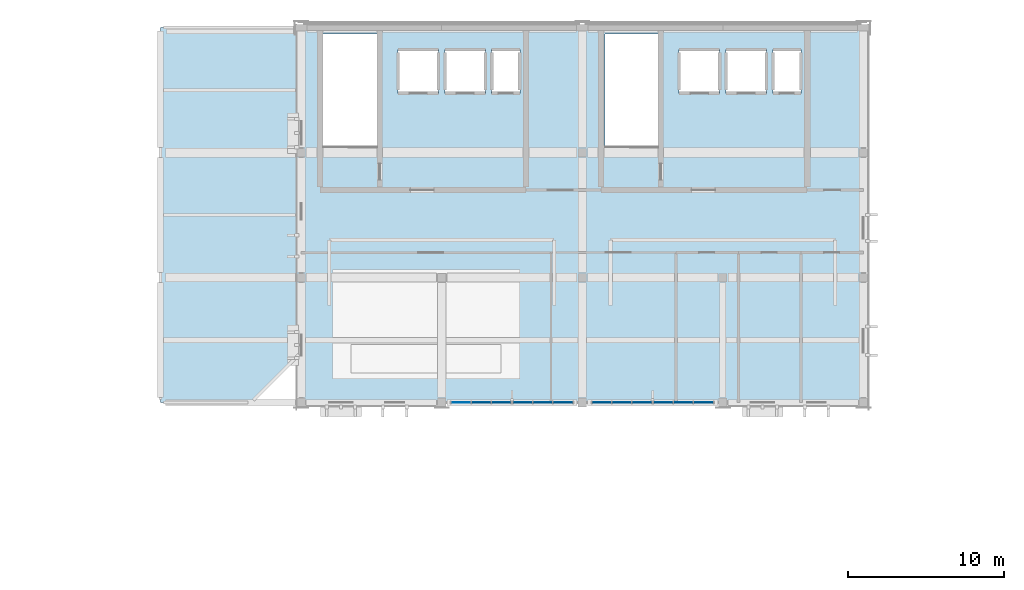
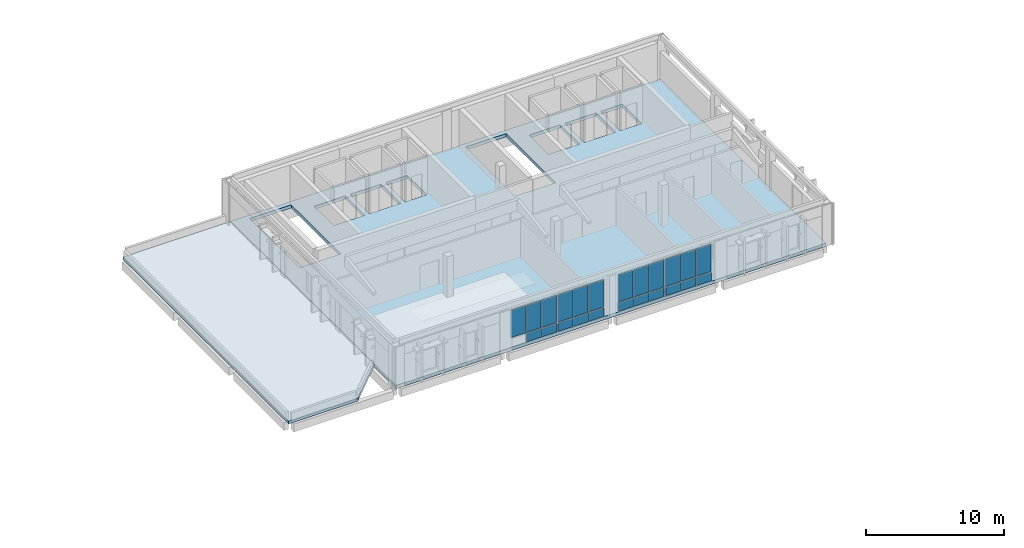
# One storey, part 4 of 12: 23 plates, 2 slabs, 4 elements without a shape of their own.
"""IFC4 building model written with IfcOpenShell, lengths in metres."""

from ifc_helpers import new_model, si_unit, direction, frame, origin, origin_2d, place, context, subcontext, project, spatial, polyline, rectangle, outline, extrude, material, layer, layer_set, type_object, element, aggregate, save


model = new_model("IFC4")

# Units and contexts
model_context = context("Model", 3, precision=1e-05, world=origin(), true_north=direction((0.0, 1.0)))
body_context = subcontext(model_context, "Body", "Model", "MODEL_VIEW")
ifc_project = project(units=[si_unit("LENGTHUNIT", "METRE"), si_unit("AREAUNIT", "SQUARE_METRE"), si_unit("VOLUMEUNIT", "CUBIC_METRE"), si_unit("PLANEANGLEUNIT", "RADIAN"), si_unit("MASSUNIT", "GRAM", prefix="KILO")], contexts=[model_context])

# Site, building, storey
site_placement = place(None, origin())
site = spatial("IfcSite", under=ifc_project, at=site_placement, CompositionType="ELEMENT")
building_placement = place(site_placement, origin())
building = spatial("IfcBuilding", under=site, at=building_placement, Name="Vervanel Yard Central Library", CompositionType="ELEMENT")
storey_placement = place(building_placement, frame((0.0, 0.0, 20.260009765625)))
storey = spatial("IfcBuildingStorey", under=building, at=storey_placement, Name="L05", CompositionType="ELEMENT", Elevation=20.260009765625)

# Slab
ifc_material_1 = material(Name="Concrete C40/50", Category="concrete")
ifc_layer_1 = layer(ifc_material_1, 0.284912109375, Category="concrete")
ifc_layer_set_1 = layer_set([ifc_layer_1], Name="Concrete C40/50")
slab_type_1 = type_object("IfcSlabType", Name="Clerestory Salon & Plant Slab 285", PredefinedType="FLOOR", material=ifc_layer_set_1)
slab_1_placement = place(storey_placement, frame((0.0, 0.0, -0.284912109375)))
element("IfcSlab", 1, at=slab_1_placement, inside=storey, type_object=slab_type_1, Name="L05 V1 Clerestory Salon & Plant Slab 285", PredefinedType="FLOOR", context=body_context, shape_type="SweptSolid", body=[
    extrude(outline(polyline([(45.0, 90.0), (81.0, 90.0), (81.0, 114.0), (45.0, 114.0), (45.0, 90.0)]), holes=[polyline([(46.389892578125, 106.43505859375), (49.85009765625, 106.43505859375), (49.85009765625, 113.60009765625), (46.389892578125, 113.60009765625), (46.389892578125, 106.43505859375)]), polyline([(51.199951171875, 109.800048828125), (53.800048828125, 109.800048828125), (53.800048828125, 112.60009765625), (51.199951171875, 112.60009765625), (51.199951171875, 109.800048828125)]), polyline([(54.199951171875, 109.800048828125), (56.800048828125, 109.800048828125), (56.800048828125, 112.60009765625), (54.199951171875, 112.60009765625), (54.199951171875, 109.800048828125)]), polyline([(57.199951171875, 109.800048828125), (59.0, 109.800048828125), (59.0, 112.60009765625), (57.199951171875, 112.60009765625), (57.199951171875, 109.800048828125)]), polyline([(64.449951171875, 106.43505859375), (67.85009765625, 106.43505859375), (67.85009765625, 113.60009765625), (64.449951171875, 113.60009765625), (64.449951171875, 106.43505859375)]), polyline([(69.199951171875, 109.800048828125), (71.800048828125, 109.800048828125), (71.800048828125, 112.60009765625), (69.199951171875, 112.60009765625), (69.199951171875, 109.800048828125)]), polyline([(72.199951171875, 109.800048828125), (74.800048828125, 109.800048828125), (74.800048828125, 112.60009765625), (72.199951171875, 112.60009765625), (72.199951171875, 109.800048828125)]), polyline([(75.199951171875, 109.800048828125), (77.0, 109.800048828125), (77.0, 112.60009765625), (75.199951171875, 112.60009765625), (75.199951171875, 109.800048828125)])]), origin(), (0.0, 0.0, 1.0), 0.284912109375),
])

# Curtain wall, plates
ifc_material_2 = material(Name="Thermally broken anodized aluminium 6063-T6", Category="aluminium")
curtain_wall_type = type_object("IfcCurtainWallType", Name="Atrium Courtyard Curtain Wall", PredefinedType="NOTDEFINED", material=ifc_material_2)
curtain_wall_1_placement = place(storey_placement, origin())
curtain_wall_1 = element("IfcCurtainWall", 2, at=curtain_wall_1_placement, inside=storey, type_object=curtain_wall_type, Name="L05 Atrium Courtyard Curtain Wall CWR-L05-013", PredefinedType="NOTDEFINED")
ifc_material_3 = material(Name="Double low-E laminated solar-control glass", Category="glass")
ifc_layer_2 = layer(ifc_material_3, 0.030029296875, Category="glass")
ifc_layer_set_2 = layer_set([ifc_layer_2], Name="Double low-E laminated solar-control glass")
plate_type_1 = type_object("IfcPlateType", Name="Courtyard Clear Low-E Panel 30", PredefinedType="CURTAIN_PANEL", material=ifc_layer_set_2)
plate_1_placement = place(storey_placement, frame((55.23828125, 90.0, 0.88232421875), z_axis=(0.0, 0.0, 1.0), x_axis=(1.0, 0.0, 0.0)))
plate_1 = element("IfcPlate", 3, at=plate_1_placement, type_object=plate_type_1, Name="CWR-L05-013 Panel B1-2", PredefinedType="CURTAIN_PANEL", context=body_context, shape_type="SweptSolid", body=[
    extrude(rectangle(XDim=1.2265625, YDim=0.030029296875, at=origin_2d()), origin(), (0.0, 0.0, 1.0), 2.422607421875),
])
plate_2_placement = place(storey_placement, frame((56.530029296875, 90.0, 0.88232421875), z_axis=(0.0, 0.0, 1.0), x_axis=(1.0, 0.0, 0.0)))
plate_2 = element("IfcPlate", 4, at=plate_2_placement, type_object=plate_type_1, Name="CWR-L05-013 Panel B2-2", PredefinedType="CURTAIN_PANEL", context=body_context, shape_type="SweptSolid", body=[
    extrude(rectangle(XDim=1.2265625, YDim=0.030029296875, at=origin_2d()), origin(), (0.0, 0.0, 1.0), 2.422607421875),
])
plate_3_placement = place(storey_placement, frame((57.82177734375, 90.0, 0.88232421875), z_axis=(0.0, 0.0, 1.0), x_axis=(1.0, 0.0, 0.0)))
plate_3 = element("IfcPlate", 5, at=plate_3_placement, type_object=plate_type_1, Name="CWR-L05-013 Panel B3-2", PredefinedType="CURTAIN_PANEL", context=body_context, shape_type="SweptSolid", body=[
    extrude(rectangle(XDim=1.2265625, YDim=0.030029296875, at=origin_2d()), origin(), (0.0, 0.0, 1.0), 2.422607421875),
])

curtain_wall_2_placement = place(storey_placement, origin())
curtain_wall_2 = element("IfcCurtainWall", 6, at=curtain_wall_2_placement, inside=storey, type_object=curtain_wall_type, Name="L05 Atrium Courtyard Curtain Wall CWR-L05-014", PredefinedType="NOTDEFINED")
plate_4_placement = place(storey_placement, frame((59.17822265625, 90.0, 0.88232421875), z_axis=(0.0, 0.0, 1.0), x_axis=(1.0, 0.0, 0.0)))
plate_4 = element("IfcPlate", 7, at=plate_4_placement, type_object=plate_type_1, Name="CWR-L05-014 Panel B1-2", PredefinedType="CURTAIN_PANEL", context=body_context, shape_type="SweptSolid", body=[
    extrude(rectangle(XDim=1.2265625, YDim=0.030029296875, at=origin_2d()), origin(), (0.0, 0.0, 1.0), 2.422607421875),
])
plate_5_placement = place(storey_placement, frame((60.469970703125, 90.0, 0.88232421875), z_axis=(0.0, 0.0, 1.0), x_axis=(1.0, 0.0, 0.0)))
plate_5 = element("IfcPlate", 8, at=plate_5_placement, type_object=plate_type_1, Name="CWR-L05-014 Panel B2-2", PredefinedType="CURTAIN_PANEL", context=body_context, shape_type="SweptSolid", body=[
    extrude(rectangle(XDim=1.2265625, YDim=0.030029296875, at=origin_2d()), origin(), (0.0, 0.0, 1.0), 2.422607421875),
])
plate_6_placement = place(storey_placement, frame((61.76171875, 90.0, 0.88232421875), z_axis=(0.0, 0.0, 1.0), x_axis=(1.0, 0.0, 0.0)))
plate_6 = element("IfcPlate", 9, at=plate_6_placement, type_object=plate_type_1, Name="CWR-L05-014 Panel B3-2", PredefinedType="CURTAIN_PANEL", context=body_context, shape_type="SweptSolid", body=[
    extrude(rectangle(XDim=1.2265625, YDim=0.030029296875, at=origin_2d()), origin(), (0.0, 0.0, 1.0), 2.422607421875),
])

curtain_wall_3_placement = place(storey_placement, origin())
curtain_wall_3 = element("IfcCurtainWall", 10, at=curtain_wall_3_placement, inside=storey, type_object=curtain_wall_type, Name="L05 Atrium Courtyard Curtain Wall CWR-L05-015", PredefinedType="NOTDEFINED")
plate_7_placement = place(storey_placement, frame((64.23828125, 90.0, 0.88232421875), z_axis=(0.0, 0.0, 1.0), x_axis=(1.0, 0.0, 0.0)))
plate_7 = element("IfcPlate", 11, at=plate_7_placement, type_object=plate_type_1, Name="CWR-L05-015 Panel B1-2", PredefinedType="CURTAIN_PANEL", context=body_context, shape_type="SweptSolid", body=[
    extrude(rectangle(XDim=1.2265625, YDim=0.030029296875, at=origin_2d()), origin(), (0.0, 0.0, 1.0), 2.422607421875),
])
plate_8_placement = place(storey_placement, frame((65.530029296875, 90.0, 0.88232421875), z_axis=(0.0, 0.0, 1.0), x_axis=(1.0, 0.0, 0.0)))
plate_8 = element("IfcPlate", 12, at=plate_8_placement, type_object=plate_type_1, Name="CWR-L05-015 Panel B2-2", PredefinedType="CURTAIN_PANEL", context=body_context, shape_type="SweptSolid", body=[
    extrude(rectangle(XDim=1.2265625, YDim=0.030029296875, at=origin_2d()), origin(), (0.0, 0.0, 1.0), 2.422607421875),
])
plate_9_placement = place(storey_placement, frame((66.82177734375, 90.0, 0.88232421875), z_axis=(0.0, 0.0, 1.0), x_axis=(1.0, 0.0, 0.0)))
plate_9 = element("IfcPlate", 13, at=plate_9_placement, type_object=plate_type_1, Name="CWR-L05-015 Panel B3-2", PredefinedType="CURTAIN_PANEL", context=body_context, shape_type="SweptSolid", body=[
    extrude(rectangle(XDim=1.2265625, YDim=0.030029296875, at=origin_2d()), origin(), (0.0, 0.0, 1.0), 2.422607421875),
])

curtain_wall_4_placement = place(storey_placement, origin())
curtain_wall_4 = element("IfcCurtainWall", 14, at=curtain_wall_4_placement, inside=storey, type_object=curtain_wall_type, Name="L05 Atrium Courtyard Curtain Wall CWR-L05-016", PredefinedType="NOTDEFINED")
plate_10_placement = place(storey_placement, frame((68.17822265625, 90.0, 0.88232421875), z_axis=(0.0, 0.0, 1.0), x_axis=(1.0, 0.0, 0.0)))
plate_10 = element("IfcPlate", 15, at=plate_10_placement, type_object=plate_type_1, Name="CWR-L05-016 Panel B1-2", PredefinedType="CURTAIN_PANEL", context=body_context, shape_type="SweptSolid", body=[
    extrude(rectangle(XDim=1.2265625, YDim=0.030029296875, at=origin_2d()), origin(), (0.0, 0.0, 1.0), 2.422607421875),
])
plate_11_placement = place(storey_placement, frame((69.469970703125, 90.0, 0.88232421875), z_axis=(0.0, 0.0, 1.0), x_axis=(1.0, 0.0, 0.0)))
plate_11 = element("IfcPlate", 16, at=plate_11_placement, type_object=plate_type_1, Name="CWR-L05-016 Panel B2-2", PredefinedType="CURTAIN_PANEL", context=body_context, shape_type="SweptSolid", body=[
    extrude(rectangle(XDim=1.2265625, YDim=0.030029296875, at=origin_2d()), origin(), (0.0, 0.0, 1.0), 2.422607421875),
])
plate_12_placement = place(storey_placement, frame((70.76171875, 90.0, 0.88232421875), z_axis=(0.0, 0.0, 1.0), x_axis=(1.0, 0.0, 0.0)))
plate_12 = element("IfcPlate", 17, at=plate_12_placement, type_object=plate_type_1, Name="CWR-L05-016 Panel B3-2", PredefinedType="CURTAIN_PANEL", context=body_context, shape_type="SweptSolid", body=[
    extrude(rectangle(XDim=1.2265625, YDim=0.030029296875, at=origin_2d()), origin(), (0.0, 0.0, 1.0), 2.422607421875),
])

# Slab
ifc_layer_3 = layer(ifc_material_1, 0.25, Category="concrete")
ifc_layer_set_3 = layer_set([ifc_layer_3], Name="Concrete C40/50")
slab_type_2 = type_object("IfcSlabType", Name="Flat Concrete Roof Slab 250", PredefinedType="ROOF", material=ifc_layer_set_3)
slab_2_placement = place(storey_placement, frame((0.0, 0.0, -0.25)))
element("IfcSlab", 18, at=slab_2_placement, inside=storey, type_object=slab_type_2, Name="L05 V1 Flat Concrete Roof Slab 250", PredefinedType="ROOF", context=body_context, shape_type="SweptSolid", body=[
    extrude(outline(polyline([(36.0, 90.0), (41.800048828125, 90.0), (45.0, 93.199951171875), (45.0, 114.0), (36.0, 114.0), (36.0, 90.0)])), origin(), (0.0, 0.0, 1.0), 0.25),
])

# Plate
ifc_material_4 = material(Name="Insulated bronze aluminium spandrel panel", Category="aluminium")
ifc_layer_4 = layer(ifc_material_4, 0.080078125, Category="aluminium")
ifc_layer_set_4 = layer_set([ifc_layer_4], Name="Insulated bronze aluminium spandrel panel")
plate_type_2 = type_object("IfcPlateType", Name="Insulated Bronze Spandrel Panel 80", PredefinedType="CURTAIN_PANEL", material=ifc_layer_set_4)
plate_13_placement = place(storey_placement, frame((56.530029296875, 90.0, 0.06494140625), z_axis=(0.0, 0.0, 1.0), x_axis=(1.0, 0.0, 0.0)))
plate_13 = element("IfcPlate", 19, at=plate_13_placement, type_object=plate_type_2, Name="CWR-L05-013 Panel B2-1", PredefinedType="CURTAIN_PANEL", context=body_context, shape_type="SweptSolid", body=[
    extrude(rectangle(XDim=1.2265625, YDim=0.080078125, at=origin_2d()), origin(), (0.0, 0.0, 1.0), 0.75244140625),
])

plate_14_placement = place(storey_placement, frame((57.82177734375, 90.0, 0.06494140625), z_axis=(0.0, 0.0, 1.0), x_axis=(1.0, 0.0, 0.0)))
plate_14 = element("IfcPlate", 20, at=plate_14_placement, type_object=plate_type_2, Name="CWR-L05-013 Panel B3-1", PredefinedType="CURTAIN_PANEL", context=body_context, shape_type="SweptSolid", body=[
    extrude(rectangle(XDim=1.2265625, YDim=0.080078125, at=origin_2d()), origin(), (0.0, 0.0, 1.0), 0.75244140625),
])

aggregate(curtain_wall_1, [plate_1, plate_13, plate_2, plate_14, plate_3])

plate_15_placement = place(storey_placement, frame((59.17822265625, 90.0, 0.06494140625), z_axis=(0.0, 0.0, 1.0), x_axis=(1.0, 0.0, 0.0)))
plate_15 = element("IfcPlate", 21, at=plate_15_placement, type_object=plate_type_2, Name="CWR-L05-014 Panel B1-1", PredefinedType="CURTAIN_PANEL", context=body_context, shape_type="SweptSolid", body=[
    extrude(rectangle(XDim=1.2265625, YDim=0.080078125, at=origin_2d()), origin(), (0.0, 0.0, 1.0), 0.75244140625),
])

plate_16_placement = place(storey_placement, frame((60.469970703125, 90.0, 0.06494140625), z_axis=(0.0, 0.0, 1.0), x_axis=(1.0, 0.0, 0.0)))
plate_16 = element("IfcPlate", 22, at=plate_16_placement, type_object=plate_type_2, Name="CWR-L05-014 Panel B2-1", PredefinedType="CURTAIN_PANEL", context=body_context, shape_type="SweptSolid", body=[
    extrude(rectangle(XDim=1.2265625, YDim=0.080078125, at=origin_2d()), origin(), (0.0, 0.0, 1.0), 0.75244140625),
])

plate_17_placement = place(storey_placement, frame((61.76171875, 90.0, 0.06494140625), z_axis=(0.0, 0.0, 1.0), x_axis=(1.0, 0.0, 0.0)))
plate_17 = element("IfcPlate", 23, at=plate_17_placement, type_object=plate_type_2, Name="CWR-L05-014 Panel B3-1", PredefinedType="CURTAIN_PANEL", context=body_context, shape_type="SweptSolid", body=[
    extrude(rectangle(XDim=1.2265625, YDim=0.080078125, at=origin_2d()), origin(), (0.0, 0.0, 1.0), 0.75244140625),
])

aggregate(curtain_wall_2, [plate_15, plate_4, plate_16, plate_5, plate_17, plate_6])

plate_18_placement = place(storey_placement, frame((64.23828125, 90.0, 0.06494140625), z_axis=(0.0, 0.0, 1.0), x_axis=(1.0, 0.0, 0.0)))
plate_18 = element("IfcPlate", 24, at=plate_18_placement, type_object=plate_type_2, Name="CWR-L05-015 Panel B1-1", PredefinedType="CURTAIN_PANEL", context=body_context, shape_type="SweptSolid", body=[
    extrude(rectangle(XDim=1.2265625, YDim=0.080078125, at=origin_2d()), origin(), (0.0, 0.0, 1.0), 0.75244140625),
])

plate_19_placement = place(storey_placement, frame((65.530029296875, 90.0, 0.06494140625), z_axis=(0.0, 0.0, 1.0), x_axis=(1.0, 0.0, 0.0)))
plate_19 = element("IfcPlate", 25, at=plate_19_placement, type_object=plate_type_2, Name="CWR-L05-015 Panel B2-1", PredefinedType="CURTAIN_PANEL", context=body_context, shape_type="SweptSolid", body=[
    extrude(rectangle(XDim=1.2265625, YDim=0.080078125, at=origin_2d()), origin(), (0.0, 0.0, 1.0), 0.75244140625),
])

plate_20_placement = place(storey_placement, frame((66.82177734375, 90.0, 0.06494140625), z_axis=(0.0, 0.0, 1.0), x_axis=(1.0, 0.0, 0.0)))
plate_20 = element("IfcPlate", 26, at=plate_20_placement, type_object=plate_type_2, Name="CWR-L05-015 Panel B3-1", PredefinedType="CURTAIN_PANEL", context=body_context, shape_type="SweptSolid", body=[
    extrude(rectangle(XDim=1.2265625, YDim=0.080078125, at=origin_2d()), origin(), (0.0, 0.0, 1.0), 0.75244140625),
])

aggregate(curtain_wall_3, [plate_18, plate_7, plate_19, plate_8, plate_20, plate_9])

plate_21_placement = place(storey_placement, frame((68.17822265625, 90.0, 0.06494140625), z_axis=(0.0, 0.0, 1.0), x_axis=(1.0, 0.0, 0.0)))
plate_21 = element("IfcPlate", 27, at=plate_21_placement, type_object=plate_type_2, Name="CWR-L05-016 Panel B1-1", PredefinedType="CURTAIN_PANEL", context=body_context, shape_type="SweptSolid", body=[
    extrude(rectangle(XDim=1.2265625, YDim=0.080078125, at=origin_2d()), origin(), (0.0, 0.0, 1.0), 0.75244140625),
])

plate_22_placement = place(storey_placement, frame((69.469970703125, 90.0, 0.06494140625), z_axis=(0.0, 0.0, 1.0), x_axis=(1.0, 0.0, 0.0)))
plate_22 = element("IfcPlate", 28, at=plate_22_placement, type_object=plate_type_2, Name="CWR-L05-016 Panel B2-1", PredefinedType="CURTAIN_PANEL", context=body_context, shape_type="SweptSolid", body=[
    extrude(rectangle(XDim=1.2265625, YDim=0.080078125, at=origin_2d()), origin(), (0.0, 0.0, 1.0), 0.75244140625),
])

plate_23_placement = place(storey_placement, frame((70.76171875, 90.0, 0.06494140625), z_axis=(0.0, 0.0, 1.0), x_axis=(1.0, 0.0, 0.0)))
plate_23 = element("IfcPlate", 29, at=plate_23_placement, type_object=plate_type_2, Name="CWR-L05-016 Panel B3-1", PredefinedType="CURTAIN_PANEL", context=body_context, shape_type="SweptSolid", body=[
    extrude(rectangle(XDim=1.2265625, YDim=0.080078125, at=origin_2d()), origin(), (0.0, 0.0, 1.0), 0.75244140625),
])

aggregate(curtain_wall_4, [plate_21, plate_10, plate_22, plate_11, plate_23, plate_12])

save(model, "model.ifc")
